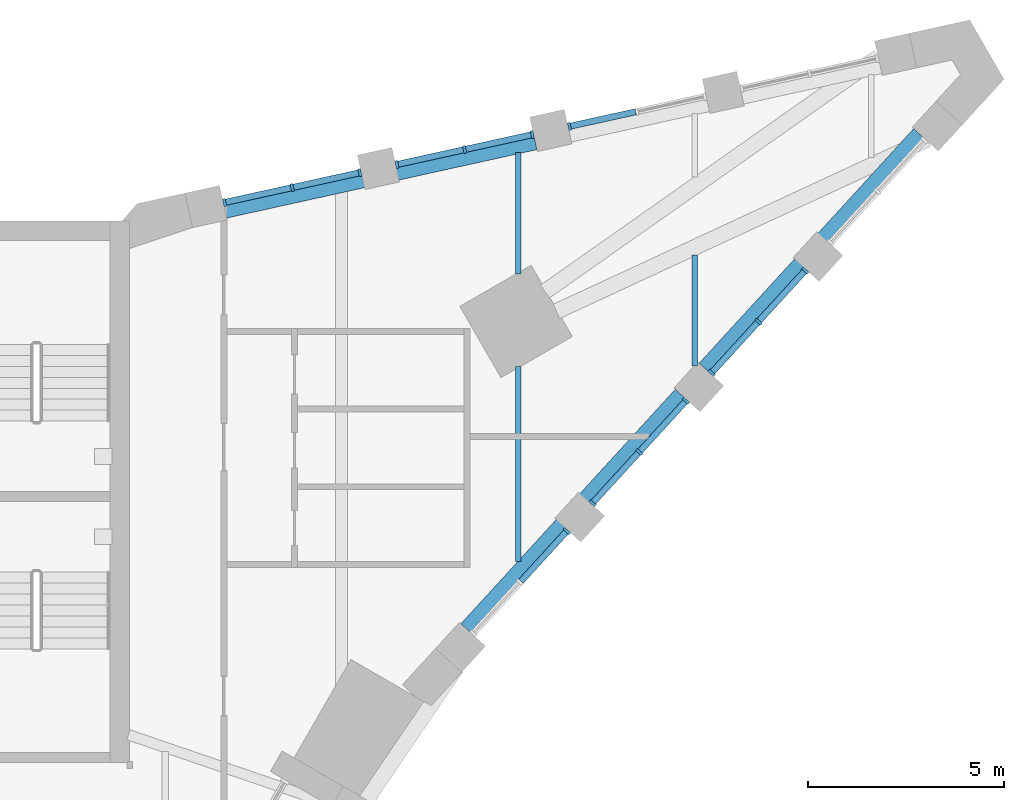
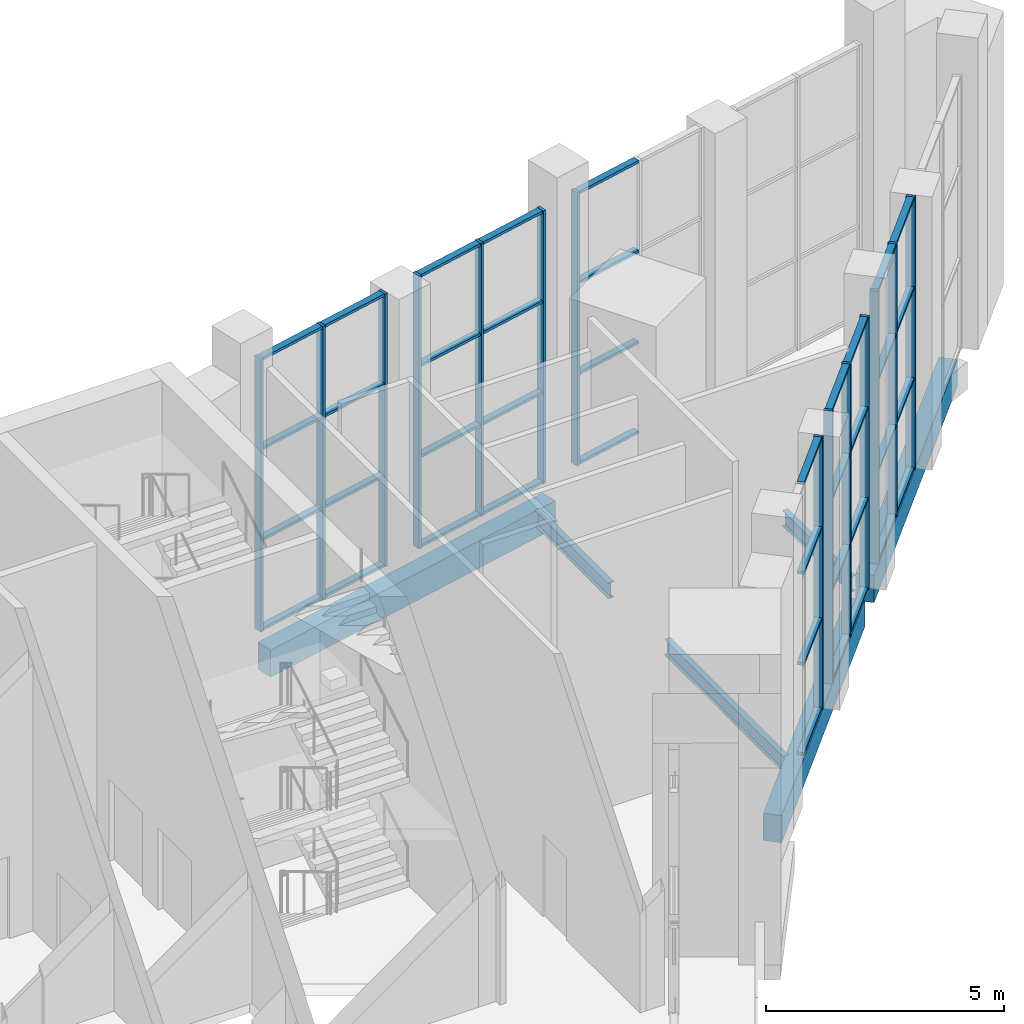
# One storey, part 6 of 16: 54 members, 6 beams, 6 elements without a shape of their own.
"""IFC4 building model written with IfcOpenShell, lengths in metres."""

from ifc_helpers import new_model, si_unit, direction, frame, origin, origin_2d, place, context, subcontext, project, spatial, rectangle, i_section, extrude, material, material_profile, profile_set, type_object, element, aggregate, save


model = new_model("IFC4")

# Units and contexts
model_context = context("Model", 3, precision=1e-05, world=origin(), true_north=direction((0.0, 1.0)))
body_context = subcontext(model_context, "Body", "Model", "MODEL_VIEW")
ifc_project = project(units=[si_unit("LENGTHUNIT", "METRE"), si_unit("AREAUNIT", "SQUARE_METRE"), si_unit("VOLUMEUNIT", "CUBIC_METRE"), si_unit("PLANEANGLEUNIT", "RADIAN"), si_unit("MASSUNIT", "GRAM", prefix="KILO")], contexts=[model_context])

# Site, building, storey
site_placement = place(None, origin())
site = spatial("IfcSite", under=ifc_project, at=site_placement, CompositionType="ELEMENT")
building_placement = place(site_placement, origin())
building = spatial("IfcBuilding", under=site, at=building_placement, Name="Calabash Gate Tower", CompositionType="ELEMENT")
storey_placement = place(building_placement, frame((0.0, 0.0, 302.5)))
storey = spatial("IfcBuildingStorey", under=building, at=storey_placement, Name="L72", CompositionType="ELEMENT", Elevation=302.5)

# Beams
ifc_material_1 = material(Name="Concrete C50/60", Category="concrete")
ifc_material_profile_1 = material_profile(ifc_material_1, rectangle(XDim=0.39990234375, YDim=0.699951171875, at=origin_2d()))
ifc_profile_set_1 = profile_set([ifc_material_profile_1], Name="Concrete C50/60")
beam_type_1 = type_object("IfcBeamType", Name="Edge beam RC 400x700 Concrete C50/60", PredefinedType="BEAM", material=ifc_profile_set_1)
beam_1_placement = place(storey_placement, frame((21.18701171875, 8.652099609375, -0.64990234375), z_axis=(0.674873802315, 0.737933161573, 0.0), x_axis=(-0.737933161573, 0.674873802315, 0.0)))
element("IfcBeam", 1, at=beam_1_placement, inside=storey, type_object=beam_type_1, Name="Edge beam L72 10", PredefinedType="BEAM", context=body_context, shape_type="SweptSolid", body=[
    extrude(rectangle(XDim=0.39990234375, YDim=0.699951171875, at=origin_2d()), origin(), (0.0, 0.0, 1.0), 8.099365234375),
])
beam_2_placement = place(storey_placement, frame((27.260009765625, 15.29296875, -0.64990234375), z_axis=(0.67486440312, 0.737941757459, 0.0), x_axis=(-0.737941757459, 0.67486440312, 0.0)))
element("IfcBeam", 2, at=beam_2_placement, inside=storey, type_object=beam_type_1, Name="Edge beam L72 11", PredefinedType="BEAM", context=body_context, shape_type="SweptSolid", body=[
    extrude(rectangle(XDim=0.39990234375, YDim=0.699951171875, at=origin_2d()), origin(), (0.0, 0.0, 1.0), 8.100830078125),
])
beam_3_placement = place(storey_placement, frame((22.93603515625, 21.06591796875, -0.64990234375), z_axis=(-0.976517152373, -0.215439669332, 0.0), x_axis=(0.215439669332, -0.976517152373, 0.0)))
element("IfcBeam", 3, at=beam_3_placement, inside=storey, type_object=beam_type_1, Name="Edge beam L72 15", PredefinedType="BEAM", context=body_context, shape_type="SweptSolid", body=[
    extrude(rectangle(XDim=0.39990234375, YDim=0.699951171875, at=origin_2d()), origin(), (0.0, 0.0, 1.0), 8.09912109375),
])
ifc_material_2 = material(Name="Steel ASTM A992 Gr50", Category="steel")
ifc_material_profile_2 = material_profile(ifc_material_2, i_section(OverallWidth=0.1396484375, OverallDepth=0.398681640625, WebThickness=0.00634765625, FlangeThickness=0.0087890625, FilletRadius=0.01025390625, at=origin_2d()))
ifc_profile_set_2 = profile_set([ifc_material_profile_2], Name="Steel ASTM A992 Gr50")
beam_type_2 = type_object("IfcBeamType", Name="Floor beam W16x26 ASTM A992 Gr50", PredefinedType="BEAM", material=ifc_profile_set_2)
beam_4_placement = place(storey_placement, frame((22.5, 10.3720703125, -0.4990234375), z_axis=(0.0, 1.0, 0.0), x_axis=(-1.0, 0.0, 0.0)))
element("IfcBeam", 4, at=beam_4_placement, inside=storey, type_object=beam_type_2, Name="Floor beam L72 15", PredefinedType="BEAM", context=body_context, shape_type="SweptSolid", body=[
    extrude(i_section(OverallWidth=0.1396484375, OverallDepth=0.398681640625, WebThickness=0.00634765625, FlangeThickness=0.0087890625, FilletRadius=0.01025390625, at=origin_2d()), origin(), (0.0, 0.0, 1.0), 4.969970703125),
])
beam_5_placement = place(storey_placement, frame((22.5, 17.702880859375, -0.4990234375), z_axis=(0.0, 1.0, 0.0), x_axis=(-1.0, 0.0, 0.0)))
element("IfcBeam", 5, at=beam_5_placement, inside=storey, type_object=beam_type_2, Name="Floor beam L72 16", PredefinedType="BEAM", context=body_context, shape_type="SweptSolid", body=[
    extrude(i_section(OverallWidth=0.1396484375, OverallDepth=0.398681640625, WebThickness=0.00634765625, FlangeThickness=0.0087890625, FilletRadius=0.01025390625, at=origin_2d()), origin(), (0.0, 0.0, 1.0), 3.09423828125),
])
beam_6_placement = place(storey_placement, frame((27.0, 15.35693359375, -0.4990234375), z_axis=(0.0, 1.0, 0.0), x_axis=(-1.0, 0.0, 0.0)))
element("IfcBeam", 6, at=beam_6_placement, inside=storey, type_object=beam_type_2, Name="Floor beam L72 17", PredefinedType="BEAM", context=body_context, shape_type="SweptSolid", body=[
    extrude(i_section(OverallWidth=0.1396484375, OverallDepth=0.398681640625, WebThickness=0.00634765625, FlangeThickness=0.0087890625, FilletRadius=0.01025390625, at=origin_2d()), origin(), (0.0, 0.0, 1.0), 2.8271484375),
])

# Curtain wall, member
ifc_material_3 = material(Name="Anodised aluminium frame, bronze finish, clear laminated impact-rated glazing", Category="aluminium")
curtain_wall_type = type_object("IfcCurtainWallType", Name="Curtain wall CWW wedge prow wall", PredefinedType="NOTDEFINED", material=ifc_material_3)
curtain_wall_1_placement = place(storey_placement, origin())
curtain_wall_1 = element("IfcCurtainWall", 7, at=curtain_wall_1_placement, inside=storey, type_object=curtain_wall_type, Name="Curtain wall CWW L72 wedge3.1", PredefinedType="NOTDEFINED")
ifc_material_4 = material(Name="Anodised aluminium frame, bronze finish", Category="aluminium")
ifc_material_profile_3 = material_profile(ifc_material_4, rectangle(XDim=0.199951171875, YDim=0.070068359375, at=origin_2d()))
ifc_profile_set_3 = profile_set([ifc_material_profile_3], Name="Anodised aluminium frame, bronze finish")
member_type_1 = type_object("IfcMemberType", Name="Mullion CWW 70x200", PredefinedType="MULLION", material=ifc_profile_set_3)
member_1_placement = place(storey_placement, frame((23.739990234375, 11.1474609375, 0.0), z_axis=(0.0, 0.0, 1.0), x_axis=(-0.737949526234, 0.674855908125, 0.0)))
member_1 = element("IfcMember", 8, at=member_1_placement, type_object=member_type_1, Name="CWW mullion 3", PredefinedType="MULLION", context=body_context, shape_type="SweptSolid", body=[
    extrude(rectangle(XDim=0.199951171875, YDim=0.070068359375, at=origin_2d()), origin(), (0.0, 0.0, 1.0), 7.0),
])

# Curtain wall, members
curtain_wall_2_placement = place(storey_placement, origin())
curtain_wall_2 = element("IfcCurtainWall", 9, at=curtain_wall_2_placement, inside=storey, type_object=curtain_wall_type, Name="Curtain wall CWW L72 wedge3.2", PredefinedType="NOTDEFINED")
member_2_placement = place(storey_placement, frame((24.394775390625, 11.86328125, 0.0), z_axis=(0.0, 0.0, 1.0), x_axis=(-0.737949387896, 0.674856059397, 0.0)))
member_2 = element("IfcMember", 10, at=member_2_placement, type_object=member_type_1, Name="CWW mullion 1", PredefinedType="MULLION", context=body_context, shape_type="SweptSolid", body=[
    extrude(rectangle(XDim=0.199951171875, YDim=0.070068359375, at=origin_2d()), origin(), (0.0, 0.0, 1.0), 7.0),
])
member_3_placement = place(storey_placement, frame((25.585693359375, 13.165771484375, 0.0), z_axis=(0.0, 0.0, 1.0), x_axis=(-0.737949387896, 0.674856059397, 0.0)))
member_3 = element("IfcMember", 11, at=member_3_placement, type_object=member_type_1, Name="CWW mullion 2", PredefinedType="MULLION", context=body_context, shape_type="SweptSolid", body=[
    extrude(rectangle(XDim=0.199951171875, YDim=0.070068359375, at=origin_2d()), origin(), (0.0, 0.0, 1.0), 7.0),
])
member_4_placement = place(storey_placement, frame((26.77685546875, 14.46826171875, 0.0), z_axis=(0.0, 0.0, 1.0), x_axis=(-0.737949387896, 0.674856059397, 0.0)))
member_4 = element("IfcMember", 12, at=member_4_placement, type_object=member_type_1, Name="CWW mullion 3", PredefinedType="MULLION", context=body_context, shape_type="SweptSolid", body=[
    extrude(rectangle(XDim=0.199951171875, YDim=0.070068359375, at=origin_2d()), origin(), (0.0, 0.0, 1.0), 7.0),
])

curtain_wall_3_placement = place(storey_placement, origin())
curtain_wall_3 = element("IfcCurtainWall", 13, at=curtain_wall_3_placement, inside=storey, type_object=curtain_wall_type, Name="Curtain wall CWW L72 wedge3.3", PredefinedType="NOTDEFINED")
member_5_placement = place(storey_placement, frame((27.431640625, 15.18408203125, 0.0), z_axis=(0.0, 0.0, 1.0), x_axis=(-0.737949387896, 0.674856059397, 0.0)))
member_5 = element("IfcMember", 14, at=member_5_placement, type_object=member_type_1, Name="CWW mullion 1", PredefinedType="MULLION", context=body_context, shape_type="SweptSolid", body=[
    extrude(rectangle(XDim=0.199951171875, YDim=0.070068359375, at=origin_2d()), origin(), (0.0, 0.0, 1.0), 7.0),
])
member_6_placement = place(storey_placement, frame((28.62255859375, 16.486572265625, 0.0), z_axis=(0.0, 0.0, 1.0), x_axis=(-0.737949387896, 0.674856059397, 0.0)))
member_6 = element("IfcMember", 15, at=member_6_placement, type_object=member_type_1, Name="CWW mullion 2", PredefinedType="MULLION", context=body_context, shape_type="SweptSolid", body=[
    extrude(rectangle(XDim=0.199951171875, YDim=0.070068359375, at=origin_2d()), origin(), (0.0, 0.0, 1.0), 7.0),
])
member_7_placement = place(storey_placement, frame((29.813720703125, 17.7890625, 0.0), z_axis=(0.0, 0.0, 1.0), x_axis=(-0.737949387896, 0.674856059397, 0.0)))
member_7 = element("IfcMember", 16, at=member_7_placement, type_object=member_type_1, Name="CWW mullion 3", PredefinedType="MULLION", context=body_context, shape_type="SweptSolid", body=[
    extrude(rectangle(XDim=0.199951171875, YDim=0.070068359375, at=origin_2d()), origin(), (0.0, 0.0, 1.0), 7.0),
])

# Curtain wall, member
curtain_wall_4_placement = place(storey_placement, origin())
curtain_wall_4 = element("IfcCurtainWall", 17, at=curtain_wall_4_placement, inside=storey, type_object=curtain_wall_type, Name="Curtain wall CWW L72 wedge5.2", PredefinedType="NOTDEFINED")
member_8_placement = place(storey_placement, frame((23.806396484375, 21.463134765625, 0.0), z_axis=(0.0, 0.0, 1.0), x_axis=(0.215467744008, -0.976510958101, 0.0)))
member_8 = element("IfcMember", 18, at=member_8_placement, type_object=member_type_1, Name="CWW mullion 3", PredefinedType="MULLION", context=body_context, shape_type="SweptSolid", body=[
    extrude(rectangle(XDim=0.199951171875, YDim=0.070068359375, at=origin_2d()), origin(), (0.0, 0.0, 1.0), 7.0),
])

# Curtain wall, members
curtain_wall_5_placement = place(storey_placement, origin())
curtain_wall_5 = element("IfcCurtainWall", 19, at=curtain_wall_5_placement, inside=storey, type_object=curtain_wall_type, Name="Curtain wall CWW L72 wedge5.3", PredefinedType="NOTDEFINED")
member_9_placement = place(storey_placement, frame((22.859130859375, 21.254150390625, 0.0), z_axis=(0.0, 0.0, 1.0), x_axis=(0.215467802466, -0.976510945203, 0.0)))
member_9 = element("IfcMember", 20, at=member_9_placement, type_object=member_type_1, Name="CWW mullion 1", PredefinedType="MULLION", context=body_context, shape_type="SweptSolid", body=[
    extrude(rectangle(XDim=0.199951171875, YDim=0.070068359375, at=origin_2d()), origin(), (0.0, 0.0, 1.0), 7.0),
])
member_10_placement = place(storey_placement, frame((21.135498046875, 20.873779296875, 0.0), z_axis=(0.0, 0.0, 1.0), x_axis=(0.215467802466, -0.976510945203, 0.0)))
member_10 = element("IfcMember", 21, at=member_10_placement, type_object=member_type_1, Name="CWW mullion 2", PredefinedType="MULLION", context=body_context, shape_type="SweptSolid", body=[
    extrude(rectangle(XDim=0.199951171875, YDim=0.070068359375, at=origin_2d()), origin(), (0.0, 0.0, 1.0), 7.0),
])
member_11_placement = place(storey_placement, frame((19.412109375, 20.49365234375, 0.0), z_axis=(0.0, 0.0, 1.0), x_axis=(0.215467802466, -0.976510945203, 0.0)))
member_11 = element("IfcMember", 22, at=member_11_placement, type_object=member_type_1, Name="CWW mullion 3", PredefinedType="MULLION", context=body_context, shape_type="SweptSolid", body=[
    extrude(rectangle(XDim=0.199951171875, YDim=0.070068359375, at=origin_2d()), origin(), (0.0, 0.0, 1.0), 7.0),
])

curtain_wall_6_placement = place(storey_placement, origin())
curtain_wall_6 = element("IfcCurtainWall", 23, at=curtain_wall_6_placement, inside=storey, type_object=curtain_wall_type, Name="Curtain wall CWW L72 wedge5.4", PredefinedType="NOTDEFINED")
member_12_placement = place(storey_placement, frame((18.46484375, 20.284423828125, 0.0), z_axis=(0.0, 0.0, 1.0), x_axis=(0.215467802466, -0.976510945203, 0.0)))
member_12 = element("IfcMember", 24, at=member_12_placement, type_object=member_type_1, Name="CWW mullion 1", PredefinedType="MULLION", context=body_context, shape_type="SweptSolid", body=[
    extrude(rectangle(XDim=0.199951171875, YDim=0.070068359375, at=origin_2d()), origin(), (0.0, 0.0, 1.0), 7.0),
])
member_13_placement = place(storey_placement, frame((16.7412109375, 19.904296875, 0.0), z_axis=(0.0, 0.0, 1.0), x_axis=(0.215467802466, -0.976510945203, 0.0)))
member_13 = element("IfcMember", 25, at=member_13_placement, type_object=member_type_1, Name="CWW mullion 2", PredefinedType="MULLION", context=body_context, shape_type="SweptSolid", body=[
    extrude(rectangle(XDim=0.199951171875, YDim=0.070068359375, at=origin_2d()), origin(), (0.0, 0.0, 1.0), 7.0),
])
member_14_placement = place(storey_placement, frame((15.017822265625, 19.52392578125, 0.0), z_axis=(0.0, 0.0, 1.0), x_axis=(0.215467802466, -0.976510945203, 0.0)))
member_14 = element("IfcMember", 26, at=member_14_placement, type_object=member_type_1, Name="CWW mullion 3", PredefinedType="MULLION", context=body_context, shape_type="SweptSolid", body=[
    extrude(rectangle(XDim=0.199951171875, YDim=0.070068359375, at=origin_2d()), origin(), (0.0, 0.0, 1.0), 7.0),
])

# Member
ifc_material_5 = material(Name="Anodised aluminium frame, bronze finish", Category="aluminium")
ifc_material_profile_4 = material_profile(ifc_material_5, rectangle(XDim=0.159912109375, YDim=0.070068359375, at=origin_2d()))
ifc_profile_set_4 = profile_set([ifc_material_profile_4], Name="Anodised aluminium frame, bronze finish")
member_type_2 = type_object("IfcMemberType", Name="Transom CWW 70x160", PredefinedType="USERDEFINED", material=ifc_profile_set_4)
member_15_placement = place(storey_placement, frame((22.572509765625, 9.870849609375, 0.034912109375), z_axis=(0.674863326953, 0.737942741636, 0.0), x_axis=(-0.737942741636, 0.674863326953, 0.0)))
member_15 = element("IfcMember", 27, at=member_15_placement, type_object=member_type_2, Name="CWW transom 2.1", ObjectType="TRANSOM", PredefinedType="USERDEFINED", context=body_context, shape_type="SweptSolid", body=[
    extrude(rectangle(XDim=0.159912109375, YDim=0.070068359375, at=origin_2d()), origin(), (0.0, 0.0, 1.0), 1.6953125),
])

member_16_placement = place(storey_placement, frame((22.572509765625, 9.870849609375, 2.333251953125), z_axis=(0.674863326953, 0.737942741636, 0.0), x_axis=(-0.737942741636, 0.674863326953, 0.0)))
member_16 = element("IfcMember", 28, at=member_16_placement, type_object=member_type_2, Name="CWW transom 2.2", ObjectType="TRANSOM", PredefinedType="USERDEFINED", context=body_context, shape_type="SweptSolid", body=[
    extrude(rectangle(XDim=0.159912109375, YDim=0.070068359375, at=origin_2d()), origin(), (0.0, 0.0, 1.0), 1.6953125),
])

member_17_placement = place(storey_placement, frame((22.572509765625, 9.870849609375, 4.666748046875), z_axis=(0.674863326953, 0.737942741636, 0.0), x_axis=(-0.737942741636, 0.674863326953, 0.0)))
member_17 = element("IfcMember", 29, at=member_17_placement, type_object=member_type_2, Name="CWW transom 2.3", ObjectType="TRANSOM", PredefinedType="USERDEFINED", context=body_context, shape_type="SweptSolid", body=[
    extrude(rectangle(XDim=0.159912109375, YDim=0.070068359375, at=origin_2d()), origin(), (0.0, 0.0, 1.0), 1.6953125),
])

member_18_placement = place(storey_placement, frame((22.572509765625, 9.870849609375, 6.965087890625), z_axis=(0.674863326953, 0.737942741636, 0.0), x_axis=(-0.737942741636, 0.674863326953, 0.0)))
member_18 = element("IfcMember", 30, at=member_18_placement, type_object=member_type_2, Name="CWW transom 2.4", ObjectType="TRANSOM", PredefinedType="USERDEFINED", context=body_context, shape_type="SweptSolid", body=[
    extrude(rectangle(XDim=0.159912109375, YDim=0.070068359375, at=origin_2d()), origin(), (0.0, 0.0, 1.0), 1.6953125),
])

aggregate(curtain_wall_1, [member_1, member_15, member_16, member_17, member_18])

member_19_placement = place(storey_placement, frame((24.418212890625, 11.88916015625, 0.034912109375), z_axis=(0.674935053329, 0.737877140036, 0.0), x_axis=(-0.737877140036, 0.674935053329, 0.0)))
member_19 = element("IfcMember", 31, at=member_19_placement, type_object=member_type_2, Name="CWW transom 1.1", ObjectType="TRANSOM", PredefinedType="USERDEFINED", context=body_context, shape_type="SweptSolid", body=[
    extrude(rectangle(XDim=0.159912109375, YDim=0.070068359375, at=origin_2d()), origin(), (0.0, 0.0, 1.0), 1.695068359375),
])

member_20_placement = place(storey_placement, frame((24.418212890625, 11.88916015625, 2.333251953125), z_axis=(0.674935053329, 0.737877140036, 0.0), x_axis=(-0.737877140036, 0.674935053329, 0.0)))
member_20 = element("IfcMember", 32, at=member_20_placement, type_object=member_type_2, Name="CWW transom 1.2", ObjectType="TRANSOM", PredefinedType="USERDEFINED", context=body_context, shape_type="SweptSolid", body=[
    extrude(rectangle(XDim=0.159912109375, YDim=0.070068359375, at=origin_2d()), origin(), (0.0, 0.0, 1.0), 1.695068359375),
])

member_21_placement = place(storey_placement, frame((24.418212890625, 11.88916015625, 4.666748046875), z_axis=(0.674935053329, 0.737877140036, 0.0), x_axis=(-0.737877140036, 0.674935053329, 0.0)))
member_21 = element("IfcMember", 33, at=member_21_placement, type_object=member_type_2, Name="CWW transom 1.3", ObjectType="TRANSOM", PredefinedType="USERDEFINED", context=body_context, shape_type="SweptSolid", body=[
    extrude(rectangle(XDim=0.159912109375, YDim=0.070068359375, at=origin_2d()), origin(), (0.0, 0.0, 1.0), 1.695068359375),
])

member_22_placement = place(storey_placement, frame((24.418212890625, 11.88916015625, 6.965087890625), z_axis=(0.674935053329, 0.737877140036, 0.0), x_axis=(-0.737877140036, 0.674935053329, 0.0)))
member_22 = element("IfcMember", 34, at=member_22_placement, type_object=member_type_2, Name="CWW transom 1.4", ObjectType="TRANSOM", PredefinedType="USERDEFINED", context=body_context, shape_type="SweptSolid", body=[
    extrude(rectangle(XDim=0.159912109375, YDim=0.070068359375, at=origin_2d()), origin(), (0.0, 0.0, 1.0), 1.695068359375),
])

member_23_placement = place(storey_placement, frame((25.609375, 13.191650390625, 0.034912109375), z_axis=(0.674935053329, 0.737877140036, 0.0), x_axis=(-0.737877140036, 0.674935053329, 0.0)))
member_23 = element("IfcMember", 35, at=member_23_placement, type_object=member_type_2, Name="CWW transom 2.1", ObjectType="TRANSOM", PredefinedType="USERDEFINED", context=body_context, shape_type="SweptSolid", body=[
    extrude(rectangle(XDim=0.159912109375, YDim=0.070068359375, at=origin_2d()), origin(), (0.0, 0.0, 1.0), 1.695068359375),
])

member_24_placement = place(storey_placement, frame((25.609375, 13.191650390625, 2.333251953125), z_axis=(0.674935053329, 0.737877140036, 0.0), x_axis=(-0.737877140036, 0.674935053329, 0.0)))
member_24 = element("IfcMember", 36, at=member_24_placement, type_object=member_type_2, Name="CWW transom 2.2", ObjectType="TRANSOM", PredefinedType="USERDEFINED", context=body_context, shape_type="SweptSolid", body=[
    extrude(rectangle(XDim=0.159912109375, YDim=0.070068359375, at=origin_2d()), origin(), (0.0, 0.0, 1.0), 1.695068359375),
])

member_25_placement = place(storey_placement, frame((25.609375, 13.191650390625, 4.666748046875), z_axis=(0.674935053329, 0.737877140036, 0.0), x_axis=(-0.737877140036, 0.674935053329, 0.0)))
member_25 = element("IfcMember", 37, at=member_25_placement, type_object=member_type_2, Name="CWW transom 2.3", ObjectType="TRANSOM", PredefinedType="USERDEFINED", context=body_context, shape_type="SweptSolid", body=[
    extrude(rectangle(XDim=0.159912109375, YDim=0.070068359375, at=origin_2d()), origin(), (0.0, 0.0, 1.0), 1.695068359375),
])

member_26_placement = place(storey_placement, frame((25.609375, 13.191650390625, 6.965087890625), z_axis=(0.674935053329, 0.737877140036, 0.0), x_axis=(-0.737877140036, 0.674935053329, 0.0)))
member_26 = element("IfcMember", 38, at=member_26_placement, type_object=member_type_2, Name="CWW transom 2.4", ObjectType="TRANSOM", PredefinedType="USERDEFINED", context=body_context, shape_type="SweptSolid", body=[
    extrude(rectangle(XDim=0.159912109375, YDim=0.070068359375, at=origin_2d()), origin(), (0.0, 0.0, 1.0), 1.695068359375),
])

aggregate(curtain_wall_2, [member_2, member_3, member_4, member_19, member_20, member_21, member_22, member_23, member_24, member_25, member_26])

member_27_placement = place(storey_placement, frame((27.455078125, 15.2099609375, 0.034912109375), z_axis=(0.674935053329, 0.737877140036, 0.0), x_axis=(-0.737877140036, 0.674935053329, 0.0)))
member_27 = element("IfcMember", 39, at=member_27_placement, type_object=member_type_2, Name="CWW transom 1.1", ObjectType="TRANSOM", PredefinedType="USERDEFINED", context=body_context, shape_type="SweptSolid", body=[
    extrude(rectangle(XDim=0.159912109375, YDim=0.070068359375, at=origin_2d()), origin(), (0.0, 0.0, 1.0), 1.695068359375),
])

member_28_placement = place(storey_placement, frame((27.455078125, 15.2099609375, 2.333251953125), z_axis=(0.674935053329, 0.737877140036, 0.0), x_axis=(-0.737877140036, 0.674935053329, 0.0)))
member_28 = element("IfcMember", 40, at=member_28_placement, type_object=member_type_2, Name="CWW transom 1.2", ObjectType="TRANSOM", PredefinedType="USERDEFINED", context=body_context, shape_type="SweptSolid", body=[
    extrude(rectangle(XDim=0.159912109375, YDim=0.070068359375, at=origin_2d()), origin(), (0.0, 0.0, 1.0), 1.695068359375),
])

member_29_placement = place(storey_placement, frame((27.455078125, 15.2099609375, 4.666748046875), z_axis=(0.674935053329, 0.737877140036, 0.0), x_axis=(-0.737877140036, 0.674935053329, 0.0)))
member_29 = element("IfcMember", 41, at=member_29_placement, type_object=member_type_2, Name="CWW transom 1.3", ObjectType="TRANSOM", PredefinedType="USERDEFINED", context=body_context, shape_type="SweptSolid", body=[
    extrude(rectangle(XDim=0.159912109375, YDim=0.070068359375, at=origin_2d()), origin(), (0.0, 0.0, 1.0), 1.695068359375),
])

member_30_placement = place(storey_placement, frame((27.455078125, 15.2099609375, 6.965087890625), z_axis=(0.674935053329, 0.737877140036, 0.0), x_axis=(-0.737877140036, 0.674935053329, 0.0)))
member_30 = element("IfcMember", 42, at=member_30_placement, type_object=member_type_2, Name="CWW transom 1.4", ObjectType="TRANSOM", PredefinedType="USERDEFINED", context=body_context, shape_type="SweptSolid", body=[
    extrude(rectangle(XDim=0.159912109375, YDim=0.070068359375, at=origin_2d()), origin(), (0.0, 0.0, 1.0), 1.695068359375),
])

member_31_placement = place(storey_placement, frame((28.646240234375, 16.512451171875, 0.034912109375), z_axis=(0.674856621718, 0.737948873652, 0.0), x_axis=(-0.737948873652, 0.674856621718, 0.0)))
member_31 = element("IfcMember", 43, at=member_31_placement, type_object=member_type_2, Name="CWW transom 2.1", ObjectType="TRANSOM", PredefinedType="USERDEFINED", context=body_context, shape_type="SweptSolid", body=[
    extrude(rectangle(XDim=0.159912109375, YDim=0.070068359375, at=origin_2d()), origin(), (0.0, 0.0, 1.0), 1.69482421875),
])

member_32_placement = place(storey_placement, frame((28.646240234375, 16.512451171875, 2.333251953125), z_axis=(0.674856621718, 0.737948873652, 0.0), x_axis=(-0.737948873652, 0.674856621718, 0.0)))
member_32 = element("IfcMember", 44, at=member_32_placement, type_object=member_type_2, Name="CWW transom 2.2", ObjectType="TRANSOM", PredefinedType="USERDEFINED", context=body_context, shape_type="SweptSolid", body=[
    extrude(rectangle(XDim=0.159912109375, YDim=0.070068359375, at=origin_2d()), origin(), (0.0, 0.0, 1.0), 1.69482421875),
])

member_33_placement = place(storey_placement, frame((28.646240234375, 16.512451171875, 4.666748046875), z_axis=(0.674856621718, 0.737948873652, 0.0), x_axis=(-0.737948873652, 0.674856621718, 0.0)))
member_33 = element("IfcMember", 45, at=member_33_placement, type_object=member_type_2, Name="CWW transom 2.3", ObjectType="TRANSOM", PredefinedType="USERDEFINED", context=body_context, shape_type="SweptSolid", body=[
    extrude(rectangle(XDim=0.159912109375, YDim=0.070068359375, at=origin_2d()), origin(), (0.0, 0.0, 1.0), 1.69482421875),
])

member_34_placement = place(storey_placement, frame((28.646240234375, 16.512451171875, 6.965087890625), z_axis=(0.674856621718, 0.737948873652, 0.0), x_axis=(-0.737948873652, 0.674856621718, 0.0)))
member_34 = element("IfcMember", 46, at=member_34_placement, type_object=member_type_2, Name="CWW transom 2.4", ObjectType="TRANSOM", PredefinedType="USERDEFINED", context=body_context, shape_type="SweptSolid", body=[
    extrude(rectangle(XDim=0.159912109375, YDim=0.070068359375, at=origin_2d()), origin(), (0.0, 0.0, 1.0), 1.69482421875),
])

aggregate(curtain_wall_3, [member_5, member_6, member_7, member_27, member_28, member_29, member_30, member_31, member_32, member_33, member_34])

member_35_placement = place(storey_placement, frame((25.49560546875, 21.8359375, 0.034912109375), z_axis=(-0.976504608688, -0.215496517864, 0.0), x_axis=(0.215496517864, -0.976504608688, 0.0)))
member_35 = element("IfcMember", 47, at=member_35_placement, type_object=member_type_2, Name="CWW transom 2.1", ObjectType="TRANSOM", PredefinedType="USERDEFINED", context=body_context, shape_type="SweptSolid", body=[
    extrude(rectangle(XDim=0.159912109375, YDim=0.070068359375, at=origin_2d()), origin(), (0.0, 0.0, 1.0), 1.69482421875),
])

member_36_placement = place(storey_placement, frame((25.49560546875, 21.8359375, 2.333251953125), z_axis=(-0.976504608688, -0.215496517864, 0.0), x_axis=(0.215496517864, -0.976504608688, 0.0)))
member_36 = element("IfcMember", 48, at=member_36_placement, type_object=member_type_2, Name="CWW transom 2.2", ObjectType="TRANSOM", PredefinedType="USERDEFINED", context=body_context, shape_type="SweptSolid", body=[
    extrude(rectangle(XDim=0.159912109375, YDim=0.070068359375, at=origin_2d()), origin(), (0.0, 0.0, 1.0), 1.69482421875),
])

member_37_placement = place(storey_placement, frame((25.49560546875, 21.8359375, 4.666748046875), z_axis=(-0.976504608688, -0.215496517864, 0.0), x_axis=(0.215496517864, -0.976504608688, 0.0)))
member_37 = element("IfcMember", 49, at=member_37_placement, type_object=member_type_2, Name="CWW transom 2.3", ObjectType="TRANSOM", PredefinedType="USERDEFINED", context=body_context, shape_type="SweptSolid", body=[
    extrude(rectangle(XDim=0.159912109375, YDim=0.070068359375, at=origin_2d()), origin(), (0.0, 0.0, 1.0), 1.69482421875),
])

member_38_placement = place(storey_placement, frame((25.49560546875, 21.8359375, 6.965087890625), z_axis=(-0.976504608688, -0.215496517864, 0.0), x_axis=(0.215496517864, -0.976504608688, 0.0)))
member_38 = element("IfcMember", 50, at=member_38_placement, type_object=member_type_2, Name="CWW transom 2.4", ObjectType="TRANSOM", PredefinedType="USERDEFINED", context=body_context, shape_type="SweptSolid", body=[
    extrude(rectangle(XDim=0.159912109375, YDim=0.070068359375, at=origin_2d()), origin(), (0.0, 0.0, 1.0), 1.69482421875),
])

aggregate(curtain_wall_4, [member_8, member_35, member_36, member_37, member_38])

member_39_placement = place(storey_placement, frame((22.824951171875, 21.24658203125, 0.034912109375), z_axis=(-0.976511296708, -0.215466209421, 0.0), x_axis=(0.215466209421, -0.976511296708, 0.0)))
member_39 = element("IfcMember", 51, at=member_39_placement, type_object=member_type_2, Name="CWW transom 1.1", ObjectType="TRANSOM", PredefinedType="USERDEFINED", context=body_context, shape_type="SweptSolid", body=[
    extrude(rectangle(XDim=0.159912109375, YDim=0.070068359375, at=origin_2d()), origin(), (0.0, 0.0, 1.0), 1.695068359375),
])

member_40_placement = place(storey_placement, frame((22.824951171875, 21.24658203125, 2.333251953125), z_axis=(-0.976511296708, -0.215466209421, 0.0), x_axis=(0.215466209421, -0.976511296708, 0.0)))
member_40 = element("IfcMember", 52, at=member_40_placement, type_object=member_type_2, Name="CWW transom 1.2", ObjectType="TRANSOM", PredefinedType="USERDEFINED", context=body_context, shape_type="SweptSolid", body=[
    extrude(rectangle(XDim=0.159912109375, YDim=0.070068359375, at=origin_2d()), origin(), (0.0, 0.0, 1.0), 1.695068359375),
])

member_41_placement = place(storey_placement, frame((22.824951171875, 21.24658203125, 4.666748046875), z_axis=(-0.976511296708, -0.215466209421, 0.0), x_axis=(0.215466209421, -0.976511296708, 0.0)))
member_41 = element("IfcMember", 53, at=member_41_placement, type_object=member_type_2, Name="CWW transom 1.3", ObjectType="TRANSOM", PredefinedType="USERDEFINED", context=body_context, shape_type="SweptSolid", body=[
    extrude(rectangle(XDim=0.159912109375, YDim=0.070068359375, at=origin_2d()), origin(), (0.0, 0.0, 1.0), 1.695068359375),
])

member_42_placement = place(storey_placement, frame((22.824951171875, 21.24658203125, 6.965087890625), z_axis=(-0.976511296708, -0.215466209421, 0.0), x_axis=(0.215466209421, -0.976511296708, 0.0)))
member_42 = element("IfcMember", 54, at=member_42_placement, type_object=member_type_2, Name="CWW transom 1.4", ObjectType="TRANSOM", PredefinedType="USERDEFINED", context=body_context, shape_type="SweptSolid", body=[
    extrude(rectangle(XDim=0.159912109375, YDim=0.070068359375, at=origin_2d()), origin(), (0.0, 0.0, 1.0), 1.695068359375),
])

member_43_placement = place(storey_placement, frame((21.101318359375, 20.8662109375, 0.034912109375), z_axis=(-0.976504608688, -0.215496517864, 0.0), x_axis=(0.215496517864, -0.976504608688, 0.0)))
member_43 = element("IfcMember", 55, at=member_43_placement, type_object=member_type_2, Name="CWW transom 2.1", ObjectType="TRANSOM", PredefinedType="USERDEFINED", context=body_context, shape_type="SweptSolid", body=[
    extrude(rectangle(XDim=0.159912109375, YDim=0.070068359375, at=origin_2d()), origin(), (0.0, 0.0, 1.0), 1.69482421875),
])

member_44_placement = place(storey_placement, frame((21.101318359375, 20.8662109375, 2.333251953125), z_axis=(-0.976504608688, -0.215496517864, 0.0), x_axis=(0.215496517864, -0.976504608688, 0.0)))
member_44 = element("IfcMember", 56, at=member_44_placement, type_object=member_type_2, Name="CWW transom 2.2", ObjectType="TRANSOM", PredefinedType="USERDEFINED", context=body_context, shape_type="SweptSolid", body=[
    extrude(rectangle(XDim=0.159912109375, YDim=0.070068359375, at=origin_2d()), origin(), (0.0, 0.0, 1.0), 1.69482421875),
])

member_45_placement = place(storey_placement, frame((21.101318359375, 20.8662109375, 4.666748046875), z_axis=(-0.976504608688, -0.215496517864, 0.0), x_axis=(0.215496517864, -0.976504608688, 0.0)))
member_45 = element("IfcMember", 57, at=member_45_placement, type_object=member_type_2, Name="CWW transom 2.3", ObjectType="TRANSOM", PredefinedType="USERDEFINED", context=body_context, shape_type="SweptSolid", body=[
    extrude(rectangle(XDim=0.159912109375, YDim=0.070068359375, at=origin_2d()), origin(), (0.0, 0.0, 1.0), 1.69482421875),
])

member_46_placement = place(storey_placement, frame((21.101318359375, 20.8662109375, 6.965087890625), z_axis=(-0.976504608688, -0.215496517864, 0.0), x_axis=(0.215496517864, -0.976504608688, 0.0)))
member_46 = element("IfcMember", 58, at=member_46_placement, type_object=member_type_2, Name="CWW transom 2.4", ObjectType="TRANSOM", PredefinedType="USERDEFINED", context=body_context, shape_type="SweptSolid", body=[
    extrude(rectangle(XDim=0.159912109375, YDim=0.070068359375, at=origin_2d()), origin(), (0.0, 0.0, 1.0), 1.69482421875),
])

aggregate(curtain_wall_5, [member_9, member_10, member_11, member_39, member_40, member_41, member_42, member_43, member_44, member_45, member_46])

member_47_placement = place(storey_placement, frame((18.4306640625, 20.277099609375, 0.034912109375), z_axis=(-0.976511296708, -0.215466209421, 0.0), x_axis=(0.215466209421, -0.976511296708, 0.0)))
member_47 = element("IfcMember", 59, at=member_47_placement, type_object=member_type_2, Name="CWW transom 1.1", ObjectType="TRANSOM", PredefinedType="USERDEFINED", context=body_context, shape_type="SweptSolid", body=[
    extrude(rectangle(XDim=0.159912109375, YDim=0.070068359375, at=origin_2d()), origin(), (0.0, 0.0, 1.0), 1.695068359375),
])

member_48_placement = place(storey_placement, frame((18.4306640625, 20.277099609375, 2.333251953125), z_axis=(-0.976511296708, -0.215466209421, 0.0), x_axis=(0.215466209421, -0.976511296708, 0.0)))
member_48 = element("IfcMember", 60, at=member_48_placement, type_object=member_type_2, Name="CWW transom 1.2", ObjectType="TRANSOM", PredefinedType="USERDEFINED", context=body_context, shape_type="SweptSolid", body=[
    extrude(rectangle(XDim=0.159912109375, YDim=0.070068359375, at=origin_2d()), origin(), (0.0, 0.0, 1.0), 1.695068359375),
])

member_49_placement = place(storey_placement, frame((18.4306640625, 20.277099609375, 4.666748046875), z_axis=(-0.976511296708, -0.215466209421, 0.0), x_axis=(0.215466209421, -0.976511296708, 0.0)))
member_49 = element("IfcMember", 61, at=member_49_placement, type_object=member_type_2, Name="CWW transom 1.3", ObjectType="TRANSOM", PredefinedType="USERDEFINED", context=body_context, shape_type="SweptSolid", body=[
    extrude(rectangle(XDim=0.159912109375, YDim=0.070068359375, at=origin_2d()), origin(), (0.0, 0.0, 1.0), 1.695068359375),
])

member_50_placement = place(storey_placement, frame((18.4306640625, 20.277099609375, 6.965087890625), z_axis=(-0.976511296708, -0.215466209421, 0.0), x_axis=(0.215466209421, -0.976511296708, 0.0)))
member_50 = element("IfcMember", 62, at=member_50_placement, type_object=member_type_2, Name="CWW transom 1.4", ObjectType="TRANSOM", PredefinedType="USERDEFINED", context=body_context, shape_type="SweptSolid", body=[
    extrude(rectangle(XDim=0.159912109375, YDim=0.070068359375, at=origin_2d()), origin(), (0.0, 0.0, 1.0), 1.695068359375),
])

member_51_placement = place(storey_placement, frame((16.70703125, 19.896728515625, 0.034912109375), z_axis=(-0.976504608688, -0.215496517864, 0.0), x_axis=(0.215496517864, -0.976504608688, 0.0)))
member_51 = element("IfcMember", 63, at=member_51_placement, type_object=member_type_2, Name="CWW transom 2.1", ObjectType="TRANSOM", PredefinedType="USERDEFINED", context=body_context, shape_type="SweptSolid", body=[
    extrude(rectangle(XDim=0.159912109375, YDim=0.070068359375, at=origin_2d()), origin(), (0.0, 0.0, 1.0), 1.69482421875),
])

member_52_placement = place(storey_placement, frame((16.70703125, 19.896728515625, 2.333251953125), z_axis=(-0.976504608688, -0.215496517864, 0.0), x_axis=(0.215496517864, -0.976504608688, 0.0)))
member_52 = element("IfcMember", 64, at=member_52_placement, type_object=member_type_2, Name="CWW transom 2.2", ObjectType="TRANSOM", PredefinedType="USERDEFINED", context=body_context, shape_type="SweptSolid", body=[
    extrude(rectangle(XDim=0.159912109375, YDim=0.070068359375, at=origin_2d()), origin(), (0.0, 0.0, 1.0), 1.69482421875),
])

member_53_placement = place(storey_placement, frame((16.70703125, 19.896728515625, 4.666748046875), z_axis=(-0.976504608688, -0.215496517864, 0.0), x_axis=(0.215496517864, -0.976504608688, 0.0)))
member_53 = element("IfcMember", 65, at=member_53_placement, type_object=member_type_2, Name="CWW transom 2.3", ObjectType="TRANSOM", PredefinedType="USERDEFINED", context=body_context, shape_type="SweptSolid", body=[
    extrude(rectangle(XDim=0.159912109375, YDim=0.070068359375, at=origin_2d()), origin(), (0.0, 0.0, 1.0), 1.69482421875),
])

member_54_placement = place(storey_placement, frame((16.70703125, 19.896728515625, 6.965087890625), z_axis=(-0.976504608688, -0.215496517864, 0.0), x_axis=(0.215496517864, -0.976504608688, 0.0)))
member_54 = element("IfcMember", 66, at=member_54_placement, type_object=member_type_2, Name="CWW transom 2.4", ObjectType="TRANSOM", PredefinedType="USERDEFINED", context=body_context, shape_type="SweptSolid", body=[
    extrude(rectangle(XDim=0.159912109375, YDim=0.070068359375, at=origin_2d()), origin(), (0.0, 0.0, 1.0), 1.69482421875),
])

aggregate(curtain_wall_6, [member_12, member_13, member_14, member_47, member_48, member_49, member_50, member_51, member_52, member_53, member_54])

save(model, "model.ifc")
